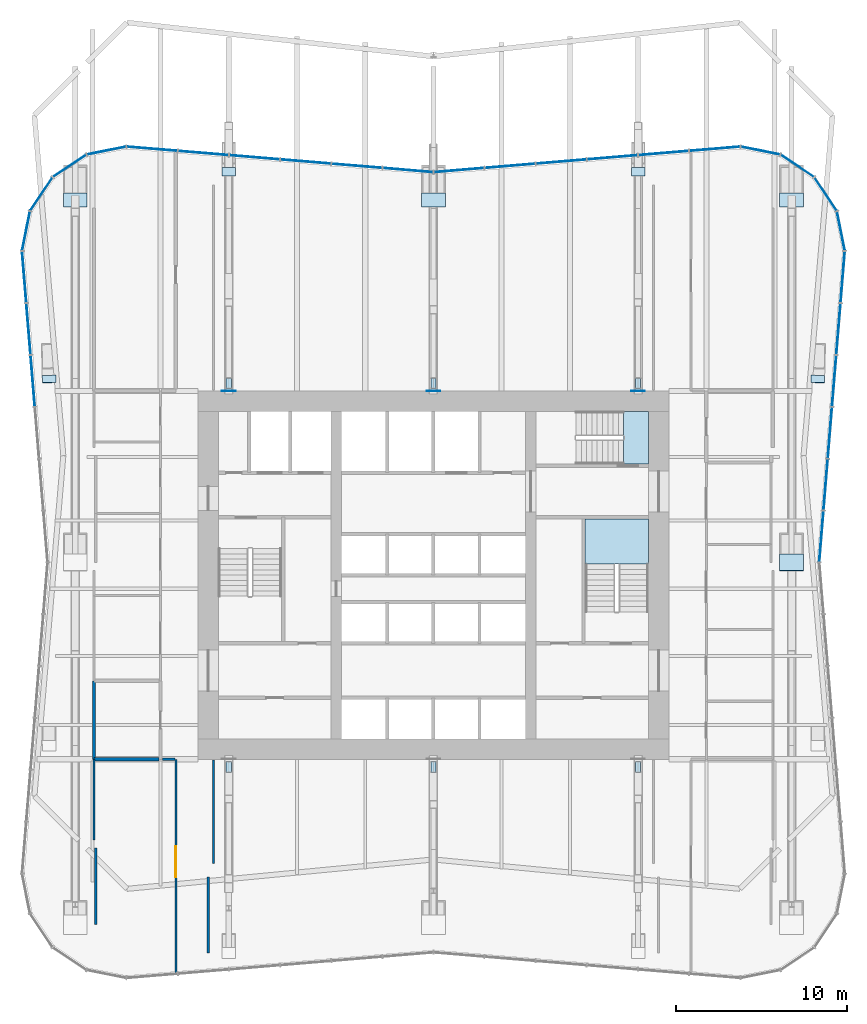
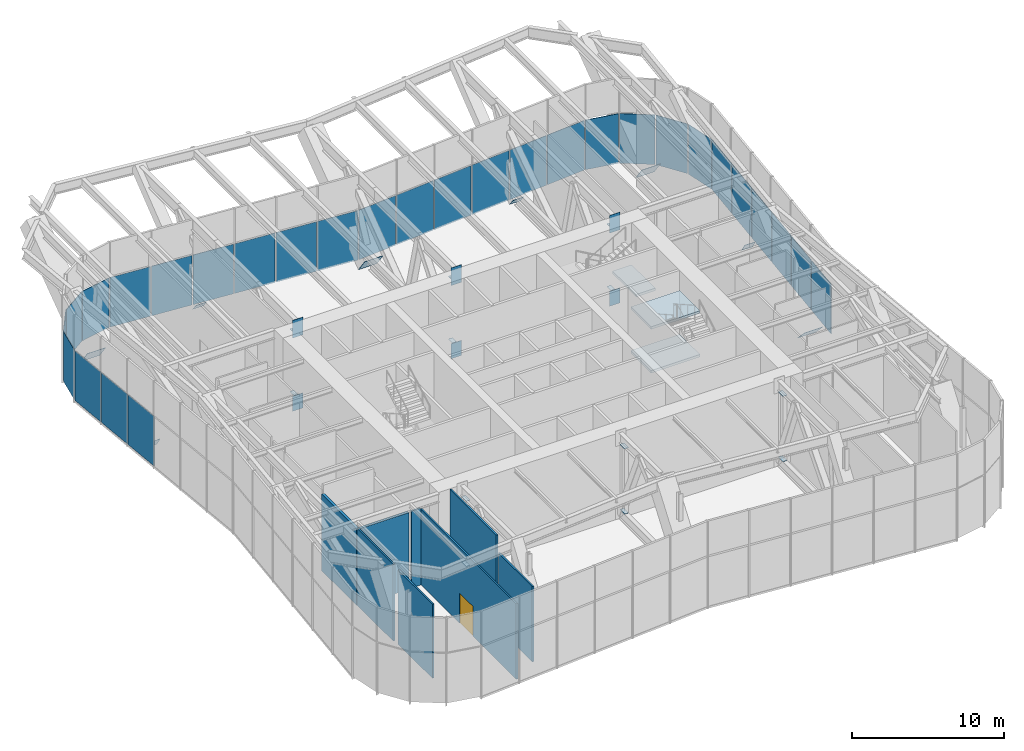
# One storey, part 11 of 17: 55 plates, 8 walls, 3 slabs, 1 door, 1 opening, 7 elements without a shape of their own.
"""IFC4 building model written with IfcOpenShell, lengths in metres."""

import ifcopenshell
import ifcopenshell.guid

model = None  # the IFC model being written
_history = None  # IfcOwnerHistory: only IFC2X3 demands one
_inside = {}  # id of a spatial element -> (the spatial element, [elements in it])
_under = {}  # id of a project, library or spatial element -> (it, [spatial elements below it])
_declared = {}  # id of a project -> (the project, [libraries it declares])
_typed = {}  # id of a type object -> (the type object, [elements of that type])
_made_of = {}  # id of a material, layer set ... -> (it, [elements and type objects made of it])


def new_model(schema):
    """Start an empty IFC model of exactly this schema.

    Asked for "IFC4X3", IfcOpenShell would pick the latest addendum, in which some entities
    have other attributes; the version numbers below select the first issue.
    IFC2X3 requires an IfcOwnerHistory on every rooted entity: one is made here for all.
    """
    global model, _history
    if schema == "IFC4X3":
        model = ifcopenshell.file(schema_version=(4, 3, 0, 0))
    else:
        model = ifcopenshell.file(schema=schema)
    _inside.clear()
    _under.clear()
    _declared.clear()
    _typed.clear()
    _made_of.clear()
    _history = None
    if model.schema == "IFC2X3":
        org = make("IfcOrganization", Name="unknown")
        user = make(
            "IfcPersonAndOrganization",
            ThePerson=make("IfcPerson", FamilyName="unknown"),
            TheOrganization=org,
        )
        app = make(
            "IfcApplication",
            ApplicationDeveloper=org,
            Version="unknown",
            ApplicationFullName="unknown",
            ApplicationIdentifier="unknown",
        )
        _history = make(
            "IfcOwnerHistory",
            OwningUser=user,
            OwningApplication=app,
            ChangeAction="ADDED",
            CreationDate=0,
        )
    return model


def make(cls, **values):
    """One entity of the class cls with the attributes given. An attribute that is None is left unset."""
    return model.create_entity(
        cls, **{name: value for name, value in values.items() if value is not None}
    )


def rooted(cls, **values):
    """An entity with a GlobalId (a new one), such as an element, a storey or a relation."""
    return make(cls, GlobalId=ifcopenshell.guid.new(), OwnerHistory=_history, **values)


def si_unit(unit_type, name, prefix=None):
    """IfcSIUnit, for example si_unit("LENGTHUNIT", "METRE", prefix="MILLI")."""
    return make("IfcSIUnit", UnitType=unit_type, Prefix=prefix, Name=name)


def assignment(units):
    """IfcUnitAssignment: the units of a project."""
    return None if units is None else make("IfcUnitAssignment", Units=units)


def point(xyz):
    """IfcCartesianPoint."""
    return None if xyz is None else make("IfcCartesianPoint", Coordinates=xyz)


def direction(xyz):
    """IfcDirection."""
    return None if xyz is None else make("IfcDirection", DirectionRatios=xyz)


def frame(location, z_axis=None, x_axis=None):
    """IfcAxis2Placement3D, a coordinate frame: its origin and axes. An axis left out is left unset."""
    return make(
        "IfcAxis2Placement3D",
        Location=point(location),
        Axis=direction(z_axis),
        RefDirection=direction(x_axis),
    )


def frame_2d(location, x_axis=None):
    """IfcAxis2Placement2D, a coordinate frame in the plane: its origin and x axis."""
    return make(
        "IfcAxis2Placement2D", Location=point(location), RefDirection=direction(x_axis)
    )


def origin():
    """The frame at (0, 0, 0) with its axes left unset."""
    return frame((0.0, 0.0, 0.0))


def origin_2d():
    """The frame at (0, 0) in the plane with its x axis left unset."""
    return frame_2d((0.0, 0.0))


def place(relative_to, where):
    """IfcLocalPlacement: puts the frame where relative to a parent placement (None: the world)."""
    return make(
        "IfcLocalPlacement", PlacementRelTo=relative_to, RelativePlacement=where
    )


def context(
    kind, dimensions, precision=None, world=None, true_north=None, identifier=None
):
    """IfcGeometricRepresentationContext, for example the 3D "Model" context."""
    return make(
        "IfcGeometricRepresentationContext",
        ContextIdentifier=identifier,
        ContextType=kind,
        CoordinateSpaceDimension=dimensions,
        Precision=precision,
        WorldCoordinateSystem=world,
        TrueNorth=true_north,
    )


def subcontext(parent, identifier, kind, view, scale=None):
    """IfcGeometricRepresentationSubContext, for example "Body" below "Model"."""
    return make(
        "IfcGeometricRepresentationSubContext",
        ContextIdentifier=identifier,
        ContextType=kind,
        ParentContext=parent,
        TargetScale=scale,
        TargetView=view,
    )


def project(units=None, contexts=None):
    """IfcProject with its units and contexts."""
    return rooted(
        "IfcProject",
        Name="project",
        RepresentationContexts=contexts,
        UnitsInContext=assignment(units),
    )


def spatial(cls, under=None, at=None, **own):
    """A site, building, storey or space (cls), placed at a placement, below another one or the project."""
    s = rooted(cls, ObjectPlacement=at, **own)
    if under is not None:
        _under.setdefault(under.id(), (under, []))[1].append(s)
    return s


def polyline(points):
    """IfcPolyline through the points."""
    return make("IfcPolyline", Points=[point(p) for p in points])


def profile(cls, at=None, kind="AREA", **sizes):
    """A parametric profile (cls). Its sizes go by their IFC names, for example OverallWidth=200.0."""
    return make(cls, ProfileType=kind, Position=at, **sizes)


def rectangle(**sizes):
    """IfcRectangleProfileDef."""
    return profile("IfcRectangleProfileDef", **sizes)


def outline(outer, holes=None, kind="AREA"):
    """IfcArbitraryClosedProfileDef: a profile drawn as a closed curve; with holes, ...WithVoids."""
    if holes is None:
        return make("IfcArbitraryClosedProfileDef", ProfileType=kind, OuterCurve=outer)
    return make(
        "IfcArbitraryProfileDefWithVoids",
        ProfileType=kind,
        OuterCurve=outer,
        InnerCurves=holes,
    )


def extrude(swept, where, along, depth):
    """IfcExtrudedAreaSolid: the profile swept, set in the frame where, extruded along a direction by depth."""
    return make(
        "IfcExtrudedAreaSolid",
        SweptArea=swept,
        Position=where,
        ExtrudedDirection=direction(along),
        Depth=depth,
    )


def shape(context_of_items, identifier, shape_type, items):
    """IfcShapeRepresentation: the items that make up one representation, for example the "Body"."""
    return make(
        "IfcShapeRepresentation",
        ContextOfItems=context_of_items,
        RepresentationIdentifier=identifier,
        RepresentationType=shape_type,
        Items=items,
    )


def material(Name=None, Category=None):
    """IfcMaterial."""
    return make("IfcMaterial", Name=Name, Category=Category)


def layer(
    of_material, thickness, ventilated=None, Name=None, Category=None, Priority=None
):
    """IfcMaterialLayer: one layer of a wall or slab, of a material (None: an air gap)."""
    return make(
        "IfcMaterialLayer",
        Material=of_material,
        LayerThickness=thickness,
        IsVentilated=ventilated,
        Name=Name,
        Category=Category,
        Priority=Priority,
    )


def layer_set(layers, Name=None):
    """IfcMaterialLayerSet."""
    return make("IfcMaterialLayerSet", MaterialLayers=layers, LayerSetName=Name)


def made_of(thing, what):
    """Note that an element or type object is made of a material, layer set ...; save() writes the relation."""
    if what is not None:
        _made_of.setdefault(what.id(), (what, []))[1].append(thing)
    return thing


def type_object(cls, material=None, **own):
    """A type object (cls), such as IfcWallType, which elements share."""
    return made_of(rooted(cls, **own), material)


def element(
    cls,
    number,
    at=None,
    inside=None,
    cuts=None,
    type_object=None,
    material=None,
    context=None,
    identifier="Body",
    shape_type=None,
    held_by="IfcProductDefinitionShape",
    body=None,
    shapes=None,
    **own,
):
    """One element of the class cls, such as IfcWall. Its Tag is "e" and its number.

    at: its placement. inside: the storey or other place that contains it. cuts: it is an
    opening in that element (IfcRelVoidsElement). A single representation is given by context,
    identifier, shape_type and body (its items); several are given by shapes. held_by: the class
    of the entity that holds the representations. save() writes the other relations.
    """
    e = rooted(cls, Tag="e%d" % number, ObjectPlacement=at, **own)
    if body is not None:
        shapes = [shape(context, identifier, shape_type, body)]
    if shapes is not None:
        e.Representation = make(held_by, Representations=shapes)
    if inside is not None:
        _inside.setdefault(inside.id(), (inside, []))[1].append(e)
    if cuts is not None:
        rooted(
            "IfcRelVoidsElement", RelatingBuildingElement=cuts, RelatedOpeningElement=e
        )
    if type_object is not None:
        _typed.setdefault(type_object.id(), (type_object, []))[1].append(e)
    return made_of(e, material)


def fill(opening, filler):
    """IfcRelFillsElement: the door or window that sits in an opening."""
    return rooted(
        "IfcRelFillsElement",
        RelatingOpeningElement=opening,
        RelatedBuildingElement=filler,
    )


def aggregate(whole, parts):
    """IfcRelAggregates: a whole, such as a stair, and the parts it consists of."""
    return rooted("IfcRelAggregates", RelatingObject=whole, RelatedObjects=parts)


def save(model, path):
    """Write the relations noted so far, then the file.

    IfcRelAggregates (storeys below a building ...), IfcRelContainedInSpatialStructure (elements
    in a storey), IfcRelDefinesByType, IfcRelAssociatesMaterial and IfcRelDeclares: one each for
    every whole, place, type object, material and project.
    """
    for whole, parts in _under.values():
        aggregate(whole, parts)
    for where, things in _inside.values():
        rooted(
            "IfcRelContainedInSpatialStructure",
            RelatedElements=things,
            RelatingStructure=where,
        )
    for kind, things in _typed.values():
        rooted("IfcRelDefinesByType", RelatedObjects=things, RelatingType=kind)
    for what, things in _made_of.values():
        rooted("IfcRelAssociatesMaterial", RelatedObjects=things, RelatingMaterial=what)
    for by, libraries in _declared.values():
        rooted("IfcRelDeclares", RelatingContext=by, RelatedDefinitions=libraries)
    model.write(path)


model = new_model("IFC4")

# Units and contexts
model_context = context("Model", 3, precision=1e-05, world=origin(), true_north=direction((0.0, 1.0)))
body_context = subcontext(model_context, "Body", "Model", "MODEL_VIEW")
ifc_project = project(units=[si_unit("LENGTHUNIT", "METRE"), si_unit("AREAUNIT", "SQUARE_METRE"), si_unit("VOLUMEUNIT", "CUBIC_METRE"), si_unit("PLANEANGLEUNIT", "RADIAN"), si_unit("MASSUNIT", "GRAM", prefix="KILO")], contexts=[model_context])

# Site, building, storey
site_placement = place(None, origin())
site = spatial("IfcSite", under=ifc_project, at=site_placement, CompositionType="ELEMENT")
building_placement = place(site_placement, origin())
building = spatial("IfcBuilding", under=site, at=building_placement, Name="Verdant Reach Tower", CompositionType="ELEMENT")
storey_placement = place(building_placement, frame((0.0, 0.0, 114.0)))
storey = spatial("IfcBuildingStorey", under=building, at=storey_placement, Name="L26 Plant", CompositionType="ELEMENT", Elevation=114.0)

# Stair, slabs
ifc_material_1 = material(Name="Concrete C40/50", Category="concrete")
stair_type = type_object("IfcStairType", Name="CO-STAIR", PredefinedType="HALF_TURN_STAIR", material=ifc_material_1)
stair_1_placement = place(storey_placement, origin())
stair_1 = element("IfcStair", 1, at=stair_1_placement, inside=storey, type_object=stair_type, Name="L26 Plant Exit stair 2", PredefinedType="HALF_TURN_STAIR")
ifc_layer_1 = layer(ifc_material_1, 0.199951171875)
ifc_layer_set_1 = layer_set([ifc_layer_1], Name="CO-STAIR-LANDING")
slab_type = type_object("IfcSlabType", Name="CO-STAIR-LANDING", PredefinedType="LANDING", material=ifc_layer_set_1)
slab_1_placement = place(storey_placement, frame((0.0, 0.0, 1.550048828125)))
slab_1 = element("IfcSlab", 2, at=slab_1_placement, type_object=slab_type, Name="ST-2 landing 1", PredefinedType="LANDING", context=body_context, shape_type="SweptSolid", body=[
    extrude(outline(polyline([(12.60009765625, 28.639892578125), (12.60009765625, 31.300048828125), (8.89990234375, 31.300048828125), (8.89990234375, 28.639892578125), (12.60009765625, 28.639892578125)])), origin(), (0.0, 0.0, 1.0), 0.199951171875),
])
slab_2_placement = place(storey_placement, frame((0.0, 0.0, 5.050048828125)))
slab_2 = element("IfcSlab", 3, at=slab_2_placement, type_object=slab_type, Name="ST-2 landing 3", PredefinedType="LANDING", context=body_context, shape_type="SweptSolid", body=[
    extrude(outline(polyline([(12.60009765625, 28.639892578125), (12.60009765625, 31.300048828125), (8.89990234375, 31.300048828125), (8.89990234375, 28.639892578125), (12.60009765625, 28.639892578125)])), origin(), (0.0, 0.0, 1.0), 0.199951171875),
])
aggregate(stair_1, [slab_1, slab_2])

# Stair, slab
stair_2_placement = place(storey_placement, origin())
stair_2 = element("IfcStair", 4, at=stair_2_placement, inside=storey, type_object=stair_type, Name="L26 Plant Exit stair 3", PredefinedType="HALF_TURN_STAIR")
slab_3_placement = place(storey_placement, frame((0.0, 0.0, 3.300048828125)))
slab_3 = element("IfcSlab", 5, at=slab_3_placement, type_object=slab_type, Name="ST-3 landing 2", PredefinedType="LANDING", context=body_context, shape_type="SweptSolid", body=[
    extrude(outline(polyline([(12.60009765625, 37.60009765625), (11.14990234375, 37.60009765625), (11.14990234375, 34.5), (12.60009765625, 34.5), (12.60009765625, 37.60009765625)])), origin(), (0.0, 0.0, 1.0), 0.199951171875),
])
aggregate(stair_2, [slab_3])

# Curtain wall, plates
ifc_material_2 = material(Name="Anodised aluminium", Category="aluminium")
curtain_wall_type = type_object("IfcCurtainWallType", Name="EN-CW SYSTEM PLANT", PredefinedType="NOTDEFINED", material=ifc_material_2)
curtain_wall_1_placement = place(storey_placement, origin())
curtain_wall_1 = element("IfcCurtainWall", 6, at=curtain_wall_1_placement, inside=storey, type_object=curtain_wall_type, Name="Curtain wall east, L26", PredefinedType="NOTDEFINED")
ifc_material_3 = material(Name="Bronze anodised aluminium solid panel", Category="aluminium")
ifc_layer_2 = layer(ifc_material_3, 0.0400390625)
ifc_layer_set_2 = layer_set([ifc_layer_2], Name="EN-PANEL SOLID")
plate_type_1 = type_object("IfcPlateType", Name="EN-PANEL SOLID", PredefinedType="CURTAIN_PANEL", material=ifc_layer_set_2)
plate_1_placement = place(storey_placement, frame((22.743896484375, 30.265869140625, -0.199951171875), z_axis=(0.0, 0.0, 1.0), x_axis=(0.08204657489, 0.996628496256, 0.0)))
plate_1 = element("IfcPlate", 7, at=plate_1_placement, type_object=plate_type_1, Name="Solid panel east face part 2 1.1, L26", PredefinedType="CURTAIN_PANEL", context=body_context, shape_type="SweptSolid", body=[
    extrude(rectangle(XDim=2.966064453125, YDim=0.0400390625, at=origin_2d()), origin(), (0.0, 0.0, 1.0), 3.97509765625),
])
plate_2_placement = place(storey_placement, frame((22.99365234375, 33.302734375, -0.199951171875), z_axis=(0.0, 0.0, 1.0), x_axis=(0.081915556724, 0.996639273542, 0.0)))
plate_2 = element("IfcPlate", 8, at=plate_2_placement, type_object=plate_type_1, Name="Solid panel east face part 2 2.1, L26", PredefinedType="CURTAIN_PANEL", context=body_context, shape_type="SweptSolid", body=[
    extrude(rectangle(XDim=2.975830078125, YDim=0.0400390625, at=origin_2d()), origin(), (0.0, 0.0, 1.0), 3.97509765625),
])
plate_3_placement = place(storey_placement, frame((23.24365234375, 36.344482421875, -0.199951171875), z_axis=(0.0, 0.0, 1.0), x_axis=(0.081915556724, 0.996639273542, 0.0)))
plate_3 = element("IfcPlate", 9, at=plate_3_placement, type_object=plate_type_1, Name="Solid panel east face part 2 3.1, L26", PredefinedType="CURTAIN_PANEL", context=body_context, shape_type="SweptSolid", body=[
    extrude(rectangle(XDim=2.975830078125, YDim=0.0400390625, at=origin_2d()), origin(), (0.0, 0.0, 1.0), 3.97509765625),
])
plate_4_placement = place(storey_placement, frame((23.49365234375, 39.385986328125, -0.199951171875), z_axis=(0.0, 0.0, 1.0), x_axis=(0.081915556724, 0.996639273542, 0.0)))
plate_4 = element("IfcPlate", 10, at=plate_4_placement, type_object=plate_type_1, Name="Solid panel east face part 2 4.1, L26", PredefinedType="CURTAIN_PANEL", context=body_context, shape_type="SweptSolid", body=[
    extrude(rectangle(XDim=2.975830078125, YDim=0.0400390625, at=origin_2d()), origin(), (0.0, 0.0, 1.0), 3.97509765625),
])
plate_5_placement = place(storey_placement, frame((23.74365234375, 42.427734375, -0.199951171875), z_axis=(0.0, 0.0, 1.0), x_axis=(0.081915556724, 0.996639273542, 0.0)))
plate_5 = element("IfcPlate", 11, at=plate_5_placement, type_object=plate_type_1, Name="Solid panel east face part 2 5.1, L26", PredefinedType="CURTAIN_PANEL", context=body_context, shape_type="SweptSolid", body=[
    extrude(rectangle(XDim=2.975830078125, YDim=0.0400390625, at=origin_2d()), origin(), (0.0, 0.0, 1.0), 3.97509765625),
])
plate_6_placement = place(storey_placement, frame((23.99365234375, 45.477783203125, -0.199951171875), z_axis=(0.0, 0.0, 1.0), x_axis=(0.081541826124, 0.996669920582, 0.0)))
plate_6 = element("IfcPlate", 12, at=plate_6_placement, type_object=plate_type_1, Name="Solid panel east face part 2 6.1, L26", PredefinedType="CURTAIN_PANEL", context=body_context, shape_type="SweptSolid", body=[
    extrude(rectangle(XDim=2.992431640625, YDim=0.0400390625, at=origin_2d()), origin(), (0.0, 0.0, 1.0), 3.97509765625),
])
aggregate(curtain_wall_1, [plate_1, plate_2, plate_3, plate_4, plate_5, plate_6])

curtain_wall_2_placement = place(storey_placement, origin())
curtain_wall_2 = element("IfcCurtainWall", 13, at=curtain_wall_2_placement, inside=storey, type_object=curtain_wall_type, Name="Curtain wall north-east corner, L26", PredefinedType="NOTDEFINED")
plate_7_placement = place(storey_placement, frame((23.885986328125, 48.17431640625, -0.199951171875), z_axis=(0.0, 0.0, 1.0), x_axis=(-0.195549132142, 0.980693905823, 0.0)))
plate_7 = element("IfcPlate", 14, at=plate_7_placement, type_object=plate_type_1, Name="Solid panel north-east corner 1.1, L26", PredefinedType="CURTAIN_PANEL", context=body_context, shape_type="SweptSolid", body=[
    extrude(rectangle(XDim=2.3046875, YDim=0.0400390625, at=origin_2d()), origin(), (0.0, 0.0, 1.0), 3.97509765625),
])
plate_8_placement = place(storey_placement, frame((22.989990234375, 50.334228515625, -0.199951171875), z_axis=(0.0, 0.0, 1.0), x_axis=(-0.555596466265, 0.83145208321, 0.0)))
plate_8 = element("IfcPlate", 15, at=plate_8_placement, type_object=plate_type_1, Name="Solid panel north-east corner 2.1, L26", PredefinedType="CURTAIN_PANEL", context=body_context, shape_type="SweptSolid", body=[
    extrude(rectangle(XDim=2.3115234375, YDim=0.0400390625, at=origin_2d()), origin(), (0.0, 0.0, 1.0), 3.97509765625),
])
plate_9_placement = place(storey_placement, frame((21.334228515625, 51.989990234375, -0.199951171875), z_axis=(0.0, 0.0, 1.0), x_axis=(-0.83145208321, 0.555596466265, 0.0)))
plate_9 = element("IfcPlate", 16, at=plate_9_placement, type_object=plate_type_1, Name="Solid panel north-east corner 3.1, L26", PredefinedType="CURTAIN_PANEL", context=body_context, shape_type="SweptSolid", body=[
    extrude(rectangle(XDim=2.3115234375, YDim=0.0400390625, at=origin_2d()), origin(), (0.0, 0.0, 1.0), 3.97509765625),
])
plate_10_placement = place(storey_placement, frame((19.174072265625, 52.885986328125, -0.199951171875), z_axis=(0.0, 0.0, 1.0), x_axis=(-0.980694678629, 0.195545256419, 0.0)))
plate_10 = element("IfcPlate", 17, at=plate_10_placement, type_object=plate_type_1, Name="Solid panel north-east corner 4.1, L26", PredefinedType="CURTAIN_PANEL", context=body_context, shape_type="SweptSolid", body=[
    extrude(rectangle(XDim=2.304931640625, YDim=0.0400390625, at=origin_2d()), origin(), (0.0, 0.0, 1.0), 3.97509765625),
])
aggregate(curtain_wall_2, [plate_7, plate_8, plate_9, plate_10])

curtain_wall_3_placement = place(storey_placement, origin())
curtain_wall_3 = element("IfcCurtainWall", 18, at=curtain_wall_3_placement, inside=storey, type_object=curtain_wall_type, Name="Curtain wall north, L26", PredefinedType="NOTDEFINED")
plate_11_placement = place(storey_placement, frame((16.49853515625, 52.99365234375, -0.199951171875), z_axis=(0.0, 0.0, 1.0), x_axis=(-0.996577509664, -0.082663578629, 0.0)))
plate_11 = element("IfcPlate", 19, at=plate_11_placement, type_object=plate_type_1, Name="Solid panel north face part 1 1.1, L26", PredefinedType="CURTAIN_PANEL", context=body_context, shape_type="SweptSolid", body=[
    extrude(rectangle(XDim=2.950927734375, YDim=0.0400390625, at=origin_2d()), origin(), (0.0, 0.0, 1.0), 3.97509765625),
])
plate_12_placement = place(storey_placement, frame((13.490234375, 52.74365234375, -0.199951171875), z_axis=(0.0, 0.0, 1.0), x_axis=(-0.996545758244, -0.083045479859, 0.0)))
plate_12 = element("IfcPlate", 20, at=plate_12_placement, type_object=plate_type_1, Name="Solid panel north face part 1 2.1, L26", PredefinedType="CURTAIN_PANEL", context=body_context, shape_type="SweptSolid", body=[
    extrude(rectangle(XDim=2.934326171875, YDim=0.0400390625, at=origin_2d()), origin(), (0.0, 0.0, 1.0), 3.97509765625),
])
plate_13_placement = place(storey_placement, frame((10.490234375, 52.49365234375, -0.199951171875), z_axis=(0.0, 0.0, 1.0), x_axis=(-0.996545758244, -0.083045479859, 0.0)))
plate_13 = element("IfcPlate", 21, at=plate_13_placement, type_object=plate_type_1, Name="Solid panel north face part 1 3.1, L26", PredefinedType="CURTAIN_PANEL", context=body_context, shape_type="SweptSolid", body=[
    extrude(rectangle(XDim=2.934326171875, YDim=0.0400390625, at=origin_2d()), origin(), (0.0, 0.0, 1.0), 3.97509765625),
])
plate_14_placement = place(storey_placement, frame((7.490234375, 52.24365234375, -0.199951171875), z_axis=(0.0, 0.0, 1.0), x_axis=(-0.996545758244, -0.083045479859, 0.0)))
plate_14 = element("IfcPlate", 22, at=plate_14_placement, type_object=plate_type_1, Name="Solid panel north face part 1 4.1, L26", PredefinedType="CURTAIN_PANEL", context=body_context, shape_type="SweptSolid", body=[
    extrude(rectangle(XDim=2.934326171875, YDim=0.0400390625, at=origin_2d()), origin(), (0.0, 0.0, 1.0), 3.97509765625),
])
plate_15_placement = place(storey_placement, frame((4.490234375, 51.99365234375, -0.199951171875), z_axis=(0.0, 0.0, 1.0), x_axis=(-0.996545758244, -0.083045479859, 0.0)))
plate_15 = element("IfcPlate", 23, at=plate_15_placement, type_object=plate_type_1, Name="Solid panel north face part 1 5.1, L26", PredefinedType="CURTAIN_PANEL", context=body_context, shape_type="SweptSolid", body=[
    extrude(rectangle(XDim=2.934326171875, YDim=0.0400390625, at=origin_2d()), origin(), (0.0, 0.0, 1.0), 3.97509765625),
])
plate_16_placement = place(storey_placement, frame((1.4951171875, 51.743896484375, -0.199951171875), z_axis=(0.0, 0.0, 1.0), x_axis=(-0.996534372104, -0.083182000546, 0.0)))
plate_16 = element("IfcPlate", 24, at=plate_16_placement, type_object=plate_type_1, Name="Solid panel north face part 1 6.1, L26", PredefinedType="CURTAIN_PANEL", context=body_context, shape_type="SweptSolid", body=[
    extrude(rectangle(XDim=2.924560546875, YDim=0.0400390625, at=origin_2d()), origin(), (0.0, 0.0, 1.0), 3.97509765625),
])
plate_17_placement = place(storey_placement, frame((-1.4951171875, 51.743896484375, -0.199951171875), z_axis=(0.0, 0.0, 1.0), x_axis=(-0.996534372104, 0.083182000546, 0.0)))
plate_17 = element("IfcPlate", 25, at=plate_17_placement, type_object=plate_type_1, Name="Solid panel north face part 2 1.1, L26", PredefinedType="CURTAIN_PANEL", context=body_context, shape_type="SweptSolid", body=[
    extrude(rectangle(XDim=2.924560546875, YDim=0.0400390625, at=origin_2d()), origin(), (0.0, 0.0, 1.0), 3.97509765625),
])
plate_18_placement = place(storey_placement, frame((-4.490234375, 51.99365234375, -0.199951171875), z_axis=(0.0, 0.0, 1.0), x_axis=(-0.996545758244, 0.083045479859, 0.0)))
plate_18 = element("IfcPlate", 26, at=plate_18_placement, type_object=plate_type_1, Name="Solid panel north face part 2 2.1, L26", PredefinedType="CURTAIN_PANEL", context=body_context, shape_type="SweptSolid", body=[
    extrude(rectangle(XDim=2.934326171875, YDim=0.0400390625, at=origin_2d()), origin(), (0.0, 0.0, 1.0), 3.97509765625),
])
plate_19_placement = place(storey_placement, frame((-7.490234375, 52.24365234375, -0.199951171875), z_axis=(0.0, 0.0, 1.0), x_axis=(-0.996545758244, 0.083045479859, 0.0)))
plate_19 = element("IfcPlate", 27, at=plate_19_placement, type_object=plate_type_1, Name="Solid panel north face part 2 3.1, L26", PredefinedType="CURTAIN_PANEL", context=body_context, shape_type="SweptSolid", body=[
    extrude(rectangle(XDim=2.934326171875, YDim=0.0400390625, at=origin_2d()), origin(), (0.0, 0.0, 1.0), 3.97509765625),
])
plate_20_placement = place(storey_placement, frame((-10.490234375, 52.49365234375, -0.199951171875), z_axis=(0.0, 0.0, 1.0), x_axis=(-0.996545758244, 0.083045479859, 0.0)))
plate_20 = element("IfcPlate", 28, at=plate_20_placement, type_object=plate_type_1, Name="Solid panel north face part 2 4.1, L26", PredefinedType="CURTAIN_PANEL", context=body_context, shape_type="SweptSolid", body=[
    extrude(rectangle(XDim=2.934326171875, YDim=0.0400390625, at=origin_2d()), origin(), (0.0, 0.0, 1.0), 3.97509765625),
])
plate_21_placement = place(storey_placement, frame((-13.490234375, 52.74365234375, -0.199951171875), z_axis=(0.0, 0.0, 1.0), x_axis=(-0.996545758244, 0.083045479859, 0.0)))
plate_21 = element("IfcPlate", 29, at=plate_21_placement, type_object=plate_type_1, Name="Solid panel north face part 2 5.1, L26", PredefinedType="CURTAIN_PANEL", context=body_context, shape_type="SweptSolid", body=[
    extrude(rectangle(XDim=2.934326171875, YDim=0.0400390625, at=origin_2d()), origin(), (0.0, 0.0, 1.0), 3.97509765625),
])
plate_22_placement = place(storey_placement, frame((-16.49853515625, 52.99365234375, -0.199951171875), z_axis=(0.0, 0.0, 1.0), x_axis=(-0.996577509664, 0.082663578629, 0.0)))
plate_22 = element("IfcPlate", 30, at=plate_22_placement, type_object=plate_type_1, Name="Solid panel north face part 2 6.1, L26", PredefinedType="CURTAIN_PANEL", context=body_context, shape_type="SweptSolid", body=[
    extrude(rectangle(XDim=2.950927734375, YDim=0.0400390625, at=origin_2d()), origin(), (0.0, 0.0, 1.0), 3.97509765625),
])
aggregate(curtain_wall_3, [plate_11, plate_12, plate_13, plate_14, plate_15, plate_16, plate_17, plate_18, plate_19, plate_20, plate_21, plate_22])

curtain_wall_4_placement = place(storey_placement, origin())
curtain_wall_4 = element("IfcCurtainWall", 31, at=curtain_wall_4_placement, inside=storey, type_object=curtain_wall_type, Name="Curtain wall north-west corner, L26", PredefinedType="NOTDEFINED")
plate_23_placement = place(storey_placement, frame((-19.174072265625, 52.885986328125, -0.199951171875), z_axis=(0.0, 0.0, 1.0), x_axis=(-0.980694678629, -0.195545256419, 0.0)))
plate_23 = element("IfcPlate", 32, at=plate_23_placement, type_object=plate_type_1, Name="Solid panel north-west corner 1.1, L26", PredefinedType="CURTAIN_PANEL", context=body_context, shape_type="SweptSolid", body=[
    extrude(rectangle(XDim=2.304931640625, YDim=0.0400390625, at=origin_2d()), origin(), (0.0, 0.0, 1.0), 3.97509765625),
])
plate_24_placement = place(storey_placement, frame((-21.334228515625, 51.989990234375, -0.199951171875), z_axis=(0.0, 0.0, 1.0), x_axis=(-0.83145208321, -0.555596466265, 0.0)))
plate_24 = element("IfcPlate", 33, at=plate_24_placement, type_object=plate_type_1, Name="Solid panel north-west corner 2.1, L26", PredefinedType="CURTAIN_PANEL", context=body_context, shape_type="SweptSolid", body=[
    extrude(rectangle(XDim=2.3115234375, YDim=0.0400390625, at=origin_2d()), origin(), (0.0, 0.0, 1.0), 3.97509765625),
])
plate_25_placement = place(storey_placement, frame((-22.989990234375, 50.334228515625, -0.199951171875), z_axis=(0.0, 0.0, 1.0), x_axis=(-0.555596466265, -0.83145208321, 0.0)))
plate_25 = element("IfcPlate", 34, at=plate_25_placement, type_object=plate_type_1, Name="Solid panel north-west corner 3.1, L26", PredefinedType="CURTAIN_PANEL", context=body_context, shape_type="SweptSolid", body=[
    extrude(rectangle(XDim=2.3115234375, YDim=0.0400390625, at=origin_2d()), origin(), (0.0, 0.0, 1.0), 3.97509765625),
])
plate_26_placement = place(storey_placement, frame((-23.885986328125, 48.17431640625, -0.199951171875), z_axis=(0.0, 0.0, 1.0), x_axis=(-0.195549132142, -0.980693905823, 0.0)))
plate_26 = element("IfcPlate", 35, at=plate_26_placement, type_object=plate_type_1, Name="Solid panel north-west corner 4.1, L26", PredefinedType="CURTAIN_PANEL", context=body_context, shape_type="SweptSolid", body=[
    extrude(rectangle(XDim=2.3046875, YDim=0.0400390625, at=origin_2d()), origin(), (0.0, 0.0, 1.0), 3.97509765625),
])
aggregate(curtain_wall_4, [plate_23, plate_24, plate_25, plate_26])

curtain_wall_5_placement = place(storey_placement, origin())
curtain_wall_5 = element("IfcCurtainWall", 36, at=curtain_wall_5_placement, inside=storey, type_object=curtain_wall_type, Name="Curtain wall west, L26", PredefinedType="NOTDEFINED")
plate_27_placement = place(storey_placement, frame((-23.99365234375, 45.477783203125, -0.199951171875), z_axis=(0.0, 0.0, 1.0), x_axis=(0.081541826124, -0.996669920582, 0.0)))
plate_27 = element("IfcPlate", 37, at=plate_27_placement, type_object=plate_type_1, Name="Solid panel west face part 1 1.1, L26", PredefinedType="CURTAIN_PANEL", context=body_context, shape_type="SweptSolid", body=[
    extrude(rectangle(XDim=2.992431640625, YDim=0.0400390625, at=origin_2d()), origin(), (0.0, 0.0, 1.0), 3.97509765625),
])
plate_28_placement = place(storey_placement, frame((-23.74365234375, 42.427734375, -0.199951171875), z_axis=(0.0, 0.0, 1.0), x_axis=(0.081915556724, -0.996639273542, 0.0)))
plate_28 = element("IfcPlate", 38, at=plate_28_placement, type_object=plate_type_1, Name="Solid panel west face part 1 2.1, L26", PredefinedType="CURTAIN_PANEL", context=body_context, shape_type="SweptSolid", body=[
    extrude(rectangle(XDim=2.975830078125, YDim=0.0400390625, at=origin_2d()), origin(), (0.0, 0.0, 1.0), 3.97509765625),
])
plate_29_placement = place(storey_placement, frame((-23.49365234375, 39.385986328125, -0.199951171875), z_axis=(0.0, 0.0, 1.0), x_axis=(0.081915556724, -0.996639273542, 0.0)))
plate_29 = element("IfcPlate", 39, at=plate_29_placement, type_object=plate_type_1, Name="Solid panel west face part 1 3.1, L26", PredefinedType="CURTAIN_PANEL", context=body_context, shape_type="SweptSolid", body=[
    extrude(rectangle(XDim=2.975830078125, YDim=0.0400390625, at=origin_2d()), origin(), (0.0, 0.0, 1.0), 3.97509765625),
])
aggregate(curtain_wall_5, [plate_27, plate_28, plate_29])

# Plates
ifc_material_4 = material(Name="Steel S460", Category="steel")
ifc_layer_3 = layer(ifc_material_4, 0.030029296875)
ifc_layer_set_3 = layer_set([ifc_layer_3], Name="ST-PLATE-CASTIN30")
plate_type_2 = type_object("IfcPlateType", Name="ST-PLATE-CASTIN30", PredefinedType="SHEET", material=ifc_layer_set_3)
plate_30_placement = place(storey_placement, frame((-12.0, 38.784912109375, -0.19287109375), z_axis=(0.0, 0.0, 1.0), x_axis=(1.0, 0.0, 0.0)))
element("IfcPlate", 40, at=plate_30_placement, inside=storey, type_object=plate_type_2, Name="CAST-IN PLATE, outrigger truss C north bottom chord, L26 Plant", PredefinedType="SHEET", context=body_context, shape_type="SweptSolid", body=[
    extrude(rectangle(XDim=0.800048828125, YDim=0.030029296875, at=origin_2d()), origin(), (0.0, 0.0, 1.0), 1.199951171875),
])
plate_31_placement = place(storey_placement, frame((-12.0, 38.784912109375, 5.662109375), z_axis=(0.0, 0.0, 1.0), x_axis=(1.0, 0.0, 0.0)))
element("IfcPlate", 41, at=plate_31_placement, inside=storey, type_object=plate_type_2, Name="CAST-IN PLATE, outrigger truss C north top chord, L26 Plant", PredefinedType="SHEET", context=body_context, shape_type="SweptSolid", body=[
    extrude(rectangle(XDim=0.800048828125, YDim=0.030029296875, at=origin_2d()), origin(), (0.0, 0.0, 1.0), 1.407958984375),
])
plate_32_placement = place(storey_placement, frame((0.0, 38.784912109375, -0.19287109375), z_axis=(0.0, 0.0, 1.0), x_axis=(1.0, 0.0, 0.0)))
element("IfcPlate", 42, at=plate_32_placement, inside=storey, type_object=plate_type_2, Name="CAST-IN PLATE, outrigger truss D north bottom chord, L26 Plant", PredefinedType="SHEET", context=body_context, shape_type="SweptSolid", body=[
    extrude(rectangle(XDim=0.800048828125, YDim=0.030029296875, at=origin_2d()), origin(), (0.0, 0.0, 1.0), 1.199951171875),
])
plate_33_placement = place(storey_placement, frame((0.0, 38.784912109375, 5.662109375), z_axis=(0.0, 0.0, 1.0), x_axis=(1.0, 0.0, 0.0)))
element("IfcPlate", 43, at=plate_33_placement, inside=storey, type_object=plate_type_2, Name="CAST-IN PLATE, outrigger truss D north top chord, L26 Plant", PredefinedType="SHEET", context=body_context, shape_type="SweptSolid", body=[
    extrude(rectangle(XDim=0.800048828125, YDim=0.030029296875, at=origin_2d()), origin(), (0.0, 0.0, 1.0), 1.407958984375),
])
plate_34_placement = place(storey_placement, frame((12.0, 38.784912109375, -0.19287109375), z_axis=(0.0, 0.0, 1.0), x_axis=(1.0, 0.0, 0.0)))
element("IfcPlate", 44, at=plate_34_placement, inside=storey, type_object=plate_type_2, Name="CAST-IN PLATE, outrigger truss E north bottom chord, L26 Plant", PredefinedType="SHEET", context=body_context, shape_type="SweptSolid", body=[
    extrude(rectangle(XDim=0.800048828125, YDim=0.030029296875, at=origin_2d()), origin(), (0.0, 0.0, 1.0), 1.199951171875),
])
plate_35_placement = place(storey_placement, frame((12.0, 38.784912109375, 5.662109375), z_axis=(0.0, 0.0, 1.0), x_axis=(1.0, 0.0, 0.0)))
element("IfcPlate", 45, at=plate_35_placement, inside=storey, type_object=plate_type_2, Name="CAST-IN PLATE, outrigger truss E north top chord, L26 Plant", PredefinedType="SHEET", context=body_context, shape_type="SweptSolid", body=[
    extrude(rectangle(XDim=0.800048828125, YDim=0.030029296875, at=origin_2d()), origin(), (0.0, 0.0, 1.0), 1.407958984375),
])
ifc_layer_4 = layer(ifc_material_4, 0.02001953125)
ifc_layer_set_4 = layer_set([ifc_layer_4], Name="ST-PLATE-END20")
plate_type_3 = type_object("IfcPlateType", Name="ST-PLATE-END20", PredefinedType="SHEET", material=ifc_layer_set_4)
for number, where, z_axis, x_axis, name in (
    (46, (-21.0, 49.98388671875, 0.5615234375), (0.0, 0.808736084303, 0.588171697675), (-1.0, 0.0, 0.0), "Cap plate, mega column north-west, L26 Plant"),
    (47, (0.0, 49.98388671875, 0.5615234375), (0.0, 0.808736084303, 0.588171697675), (-1.0, 0.0, 0.0), "Cap plate, mega column north, L26 Plant"),
    (48, (21.0, 49.98388671875, 0.5615234375), (0.0, 0.808736084303, 0.588171697675), (-1.0, 0.0, 0.0), "Cap plate, mega column north-east, L26 Plant"),
    (49, (21.0, 28.735595703125, 0.503173828125), (0.0, 0.719191390085, 0.694812020929), (-1.0, 0.0, 0.0), "Cap plate, mega column east, L26 Plant"),
):
    element("IfcPlate", number, at=place(storey_placement, frame(where, z_axis=z_axis, x_axis=x_axis)), inside=storey, type_object=plate_type_3, Name=name, PredefinedType="SHEET", context=body_context, shape_type="SweptSolid", body=[
        extrude(rectangle(XDim=1.39990234375, YDim=1.39990234375, at=origin_2d()), origin(), (0.0, 0.0, 1.0), 0.02001953125),
    ])
for number, where, z_axis, x_axis, name in (
    (50, (-12.0, 51.63427734375, 0.324462890625), (0.0, 0.782059551443, 0.623203705056), (-1.0, 0.0, 0.0), "Cap plate, perimeter column north 1, L26 Plant"),
    (51, (12.0, 51.63427734375, 0.324462890625), (0.0, 0.782059551443, 0.623203705056), (-1.0, 0.0, 0.0), "Cap plate, perimeter column north 2, L26 Plant"),
):
    element("IfcPlate", number, at=place(storey_placement, frame(where, z_axis=z_axis, x_axis=x_axis)), inside=storey, type_object=plate_type_3, Name=name, PredefinedType="SHEET", context=body_context, shape_type="SweptSolid", body=[
        extrude(rectangle(XDim=0.800048828125, YDim=0.800048828125, at=origin_2d()), origin(), (0.0, 0.0, 1.0), 0.02001953125),
    ])
for number, where, z_axis, x_axis, name in (
    (52, (22.533203125, 39.483154296875, 0.35791015625), (0.024592229345, 0.848431912418, 0.528732930927), (-0.9995801847, 0.028973338687, 0.0), "Cap plate, perimeter column east 2, L26 Plant"),
    (53, (-22.533203125, 39.483154296875, 0.35791015625), (-0.024592229345, 0.848431912418, 0.528732930927), (-0.9995801847, -0.028973338687, 0.0), "Cap plate, perimeter column west 2, L26 Plant"),
):
    element("IfcPlate", number, at=place(storey_placement, frame(where, z_axis=z_axis, x_axis=x_axis)), inside=storey, type_object=plate_type_3, Name=name, PredefinedType="SHEET", context=body_context, shape_type="SweptSolid", body=[
        extrude(rectangle(XDim=0.800048828125, YDim=0.800048828125, at=origin_2d()), origin(), (0.0, 0.0, 1.0), 0.019775390625),
    ])
for number, where, z_axis, x_axis, name in (
    (54, (-12.0, 39.25, 0.81396484375), (0.0, 0.0, 1.0), (1.0, 0.0, 0.0), "End plate, outrigger truss C north end post bottom, L26 Plant"),
    (55, (-12.0, 39.25, 5.842041015625), (0.0, 0.0, 1.0), (1.0, 0.0, 0.0), "End plate, outrigger truss C north end post top, L26 Plant"),
    (56, (-12.0, 16.75, 0.81396484375), (0.0, 0.0, 1.0), (1.0, 0.0, 0.0), "End plate, outrigger truss C south end post bottom, L26 Plant"),
    (57, (-12.0, 16.75, 6.035888671875), (0.0, 0.0, 1.0), (1.0, 0.0, 0.0), "End plate, outrigger truss C south end post top, L26 Plant"),
    (58, (0.0, 39.25, 0.81396484375), (0.0, 0.0, 1.0), (1.0, 0.0, 0.0), "End plate, outrigger truss D north end post bottom, L26 Plant"),
    (59, (0.0, 39.25, 5.842041015625), (0.0, 0.0, 1.0), (1.0, 0.0, 0.0), "End plate, outrigger truss D north end post top, L26 Plant"),
    (60, (0.0, 16.75, 0.81396484375), (0.0, 0.0, 1.0), (1.0, 0.0, 0.0), "End plate, outrigger truss D south end post bottom, L26 Plant"),
    (61, (0.0, 16.75, 6.035888671875), (0.0, 0.0, 1.0), (1.0, 0.0, 0.0), "End plate, outrigger truss D south end post top, L26 Plant"),
    (62, (12.0, 39.25, 0.81396484375), (0.0, 0.0, 1.0), (1.0, 0.0, 0.0), "End plate, outrigger truss E north end post bottom, L26 Plant"),
    (63, (12.0, 39.25, 5.842041015625), (0.0, 0.0, 1.0), (1.0, 0.0, 0.0), "End plate, outrigger truss E north end post top, L26 Plant"),
    (64, (12.0, 16.75, 0.81396484375), (0.0, 0.0, 1.0), (1.0, 0.0, 0.0), "End plate, outrigger truss E south end post bottom, L26 Plant"),
    (65, (12.0, 16.75, 6.035888671875), (0.0, 0.0, 1.0), (1.0, 0.0, 0.0), "End plate, outrigger truss E south end post top, L26 Plant"),
):
    element("IfcPlate", number, at=place(storey_placement, frame(where, z_axis=z_axis, x_axis=x_axis)), inside=storey, type_object=plate_type_3, Name=name, PredefinedType="SHEET", context=body_context, shape_type="SweptSolid", body=[
        extrude(rectangle(XDim=0.304931640625, YDim=0.6201171875, at=origin_2d()), origin(), (0.0, 0.0, 1.0), 0.02001953125),
    ])

# Wall, opening, door
ifc_material_5 = material(Name="Gypsum board on steel studs, fire rated", Category="steel")
ifc_layer_5 = layer(ifc_material_5, 0.125)
ifc_layer_set_5 = layer_set([ifc_layer_5], Name="SV-W2 Plant wall 125 EI 60")
wall_type_1 = type_object("IfcWallType", Name="SV-W2 Plant wall 125 EI 60", PredefinedType="PARTITIONING", material=ifc_layer_set_5)
wall_1_placement = place(storey_placement, frame((-15.10009765625, 17.199951171875, 0.0), z_axis=(0.0, 0.0, 1.0), x_axis=(0.0, -1.0, 0.0)))
wall_1 = element("IfcWall", 66, at=wall_1_placement, inside=storey, type_object=wall_type_1, Name="Partition L26.21", PredefinedType="PARTITIONING", context=body_context, shape_type="SweptSolid", body=[
    extrude(rectangle(XDim=12.538330078125, YDim=0.125, at=frame_2d((6.26904296875, 0.0))), origin(), (0.0, 0.0, 1.0), 6.0400390625),
])
opening_placement = place(wall_1_placement, frame((5.103515625, 0.0, 0.0)))
opening = element("IfcOpeningElement", 67, at=opening_placement, cuts=wall_1, Name="Opening SD3", PredefinedType="OPENING", context=body_context, shape_type="SweptSolid", body=[
    extrude(rectangle(XDim=1.800048828125, YDim=2.39990234375, at=frame_2d((0.89990234375, 1.199951171875))), frame((0.0, 0.072509765625, 0.0), z_axis=(0.0, -1.0, 0.0), x_axis=(1.0, 0.0, 0.0)), (0.0, 0.0, 1.0), 0.14501953125),
])
ifc_material_6 = material(Name="Steel door leaves, fire rated", Category="steel")
door_type = type_object("IfcDoorType", Name="SV-D3 Equipment door 1800x2400 FD60", OperationType="DOUBLE_DOOR_SINGLE_SWING", PredefinedType="DOOR", material=ifc_material_6)
door_placement = place(opening_placement, origin())
door = element("IfcDoor", 68, at=door_placement, inside=storey, type_object=door_type, Name="Door L26-013", OperationType="DOUBLE_DOOR_SINGLE_SWING", OverallHeight=2.39990234375, OverallWidth=1.800048828125, PredefinedType="DOOR", context=body_context, shape_type="SweptSolid", body=[
    extrude(rectangle(XDim=1.800048828125, YDim=2.39990234375, at=frame_2d((0.89990234375, 1.199951171875))), frame((0.0, 0.02490234375, 0.0), z_axis=(0.0, -1.0, 0.0), x_axis=(1.0, 0.0, 0.0)), (0.0, 0.0, 1.0), 0.050048828125),
])
fill(opening, door)

# Walls
wall_2_placement = place(storey_placement, frame((-15.16259765625, 17.199951171875, 0.0), z_axis=(0.0, 0.0, 1.0), x_axis=(-1.0, 0.0, 0.0)))
element("IfcWall", 69, at=wall_2_placement, inside=storey, type_object=wall_type_1, Name="Partition L26.22", PredefinedType="PARTITIONING", context=body_context, shape_type="SweptSolid", body=[
    extrude(rectangle(XDim=0.7373046875, YDim=0.125, at=frame_2d((0.36865234375, 0.0))), origin(), (0.0, 0.0, 1.0), 6.139892578125),
])
wall_3_placement = place(storey_placement, frame((-12.89990234375, 17.14990234375, 0.0), z_axis=(0.0, 0.0, 1.0), x_axis=(0.0, -1.0, 0.0)))
element("IfcWall", 70, at=wall_3_placement, inside=storey, type_object=wall_type_1, Name="Partition L26.45", PredefinedType="PARTITIONING", context=body_context, shape_type="SweptSolid", body=[
    extrude(rectangle(XDim=6.057861328125, YDim=0.125, at=frame_2d((3.02880859375, 0.0))), origin(), (0.0, 0.0, 1.0), 6.8701171875),
])
wall_4_placement = place(storey_placement, frame((-13.199951171875, 10.300048828125, 0.0), z_axis=(0.0, 0.0, 1.0), x_axis=(0.0, -1.0, 0.0)))
element("IfcWall", 71, at=wall_4_placement, inside=storey, type_object=wall_type_1, Name="Partition L26.46", PredefinedType="PARTITIONING", context=body_context, shape_type="SweptSolid", body=[
    extrude(rectangle(XDim=4.449951171875, YDim=0.125, at=frame_2d((2.22509765625, 0.0))), origin(), (0.0, 0.0, 1.0), 6.0400390625),
])
wall_5_placement = place(storey_placement, frame((-19.800048828125, 7.5, 0.0), z_axis=(0.0, 0.0, 1.0), x_axis=(0.0, 1.0, 0.0)))
element("IfcWall", 72, at=wall_5_placement, inside=storey, type_object=wall_type_1, Name="Partition L26.54", PredefinedType="PARTITIONING", context=body_context, shape_type="SweptSolid", body=[
    extrude(rectangle(XDim=4.5, YDim=0.125, at=frame_2d((2.25, 0.0))), origin(), (0.0, 0.0, 1.0), 5.929931640625),
])
wall_6_placement = place(storey_placement, frame((-19.89990234375, 12.47802734375, 0.0), z_axis=(0.0, 0.0, 1.0), x_axis=(0.0, 1.0, 0.0)))
element("IfcWall", 73, at=wall_6_placement, inside=storey, type_object=wall_type_1, Name="Partition L26.55", PredefinedType="PARTITIONING", context=body_context, shape_type="SweptSolid", body=[
    extrude(rectangle(XDim=4.719970703125, YDim=0.125, at=frame_2d((2.35986328125, 0.0))), origin(), (0.0, 0.0, 1.0), 6.139892578125),
])
ifc_material_7 = material(Name="Calcium silicate board on steel studs, fire rated", Category="steel")
ifc_layer_6 = layer(ifc_material_7, 0.199951171875)
ifc_layer_set_6 = layer_set([ifc_layer_6], Name="SV-W3 Fire wall 200 EI 120")
wall_type_2 = type_object("IfcWallType", Name="SV-W3 Fire wall 200 EI 120", PredefinedType="PARTITIONING", material=ifc_layer_set_6)
wall_7_placement = place(storey_placement, frame((-16.10009765625, 17.199951171875, 0.0), z_axis=(0.0, 0.0, 1.0), x_axis=(-1.0, 0.0, 0.0)))
element("IfcWall", 74, at=wall_7_placement, inside=storey, type_object=wall_type_2, Name="Partition L26.26", PredefinedType="PARTITIONING", context=body_context, shape_type="SweptSolid", body=[
    extrude(rectangle(XDim=3.7998046875, YDim=0.199951171875, at=frame_2d((1.89990234375, 0.0))), origin(), (0.0, 0.0, 1.0), 6.139892578125),
])
wall_8_placement = place(storey_placement, frame((-19.89990234375, 17.201904296875, 0.0), z_axis=(0.0, 0.0, 1.0), x_axis=(0.0, 1.0, 0.0)))
element("IfcWall", 75, at=wall_8_placement, inside=storey, type_object=wall_type_2, Name="Partition L26.47", PredefinedType="PARTITIONING", context=body_context, shape_type="SweptSolid", body=[
    extrude(rectangle(XDim=4.59619140625, YDim=0.199951171875, at=frame_2d((2.298095703125, 0.0))), origin(), (0.0, 0.0, 1.0), 6.139892578125),
])

save(model, "model.ifc")
